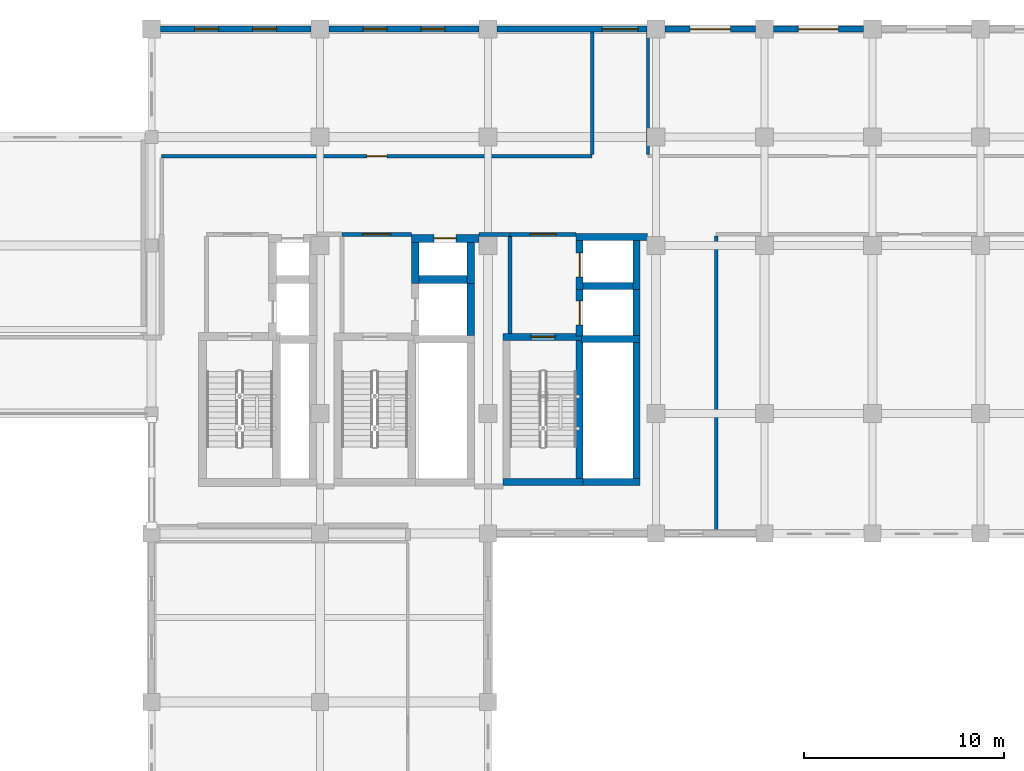
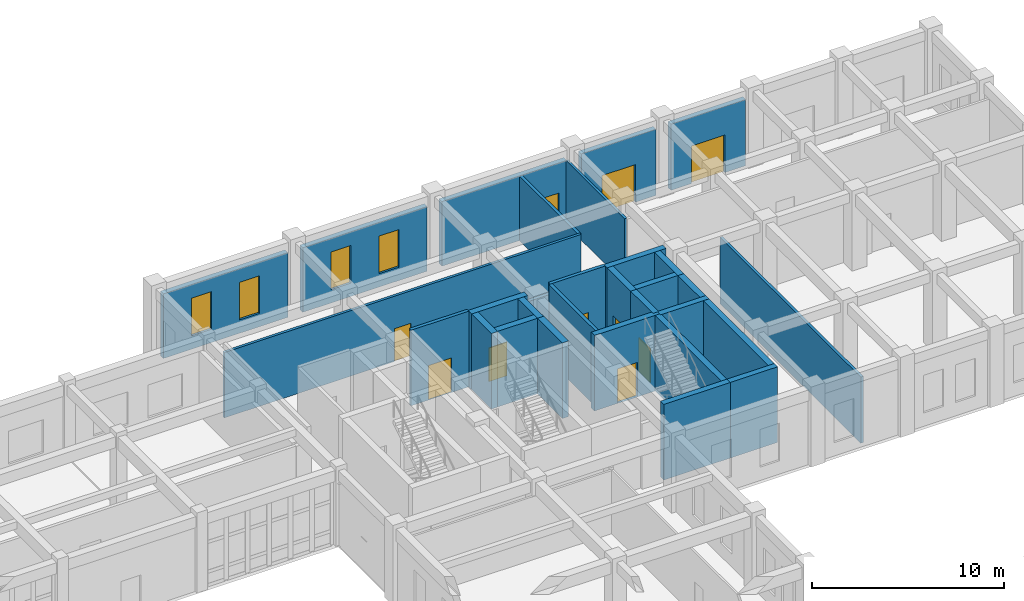
# One storey, part 69 of 80: 30 walls, 10 doors, 4 windows, 14 openings.
"""IFC4 building model written with IfcOpenShell, lengths in metres."""

from ifc_helpers import new_model, si_unit, direction, frame, frame_2d, origin, place, context, subcontext, project, spatial, rectangle, extrude, material, layer, layer_set, type_object, element, fill, save


model = new_model("IFC4")

# Units and contexts
model_context = context("Model", 3, precision=1e-05, world=origin(), true_north=direction((0.0, 1.0)))
body_context = subcontext(model_context, "Body", "Model", "MODEL_VIEW")
ifc_project = project(units=[si_unit("LENGTHUNIT", "METRE"), si_unit("AREAUNIT", "SQUARE_METRE"), si_unit("VOLUMEUNIT", "CUBIC_METRE"), si_unit("PLANEANGLEUNIT", "RADIAN"), si_unit("MASSUNIT", "GRAM", prefix="KILO")], contexts=[model_context])

# Site, building, storey
site_placement = place(None, origin())
site = spatial("IfcSite", under=ifc_project, at=site_placement, CompositionType="ELEMENT")
building_placement = place(site_placement, origin())
building = spatial("IfcBuilding", under=site, at=building_placement, Name="Krzemoval Escarpment Law Courts", CompositionType="ELEMENT")
storey_placement = place(building_placement, origin())
storey = spatial("IfcBuildingStorey", under=building, at=storey_placement, Name="L00", CompositionType="ELEMENT", Elevation=0.0)

# Wall, openings, windows
ifc_material_1 = material(Name="Precast concrete C40/50", Category="concrete")
ifc_layer_1 = layer(ifc_material_1, 0.300048828125)
ifc_layer_set_1 = layer_set([ifc_layer_1], Name="Precast concrete C40/50")
wall_type_1 = type_object("IfcWallType", Name="WL-EXT-300", PredefinedType="SOLIDWALL", material=ifc_layer_set_1)
wall_1_placement = place(storey_placement, frame((126.449951171875, 118.800048828125, 0.0), z_axis=(0.0, 0.0, 1.0), x_axis=(1.0, 0.0, 0.0)))
wall_1 = element("IfcWall", 1, at=wall_1_placement, inside=storey, type_object=wall_type_1, Name="Exterior Wall EW-L00-0090", PredefinedType="SOLIDWALL", context=body_context, shape_type="SweptSolid", body=[
    extrude(rectangle(XDim=7.5, YDim=0.300048828125, at=frame_2d((3.75, 0.0))), origin(), (0.0, 0.0, 1.0), 4.1201171875),
])
opening_1_placement = place(wall_1_placement, frame((1.699951171875, 0.0, 0.85009765625)))
opening_1 = element("IfcOpeningElement", 2, at=opening_1_placement, cuts=wall_1, Name="Opening WN-L00-0031", PredefinedType="OPENING", context=body_context, shape_type="SweptSolid", body=[
    extrude(rectangle(XDim=1.199951171875, YDim=2.39990234375, at=frame_2d((0.60009765625, 1.199951171875))), frame((0.0, 0.16502, 0.0), z_axis=(0.0, -1.0, 0.0), x_axis=(1.0, 0.0, 0.0)), (0.0, 0.0, 1.0), 0.33005),
])
opening_2_placement = place(wall_1_placement, frame((4.60009765625, 0.0, 0.85009765625)))
opening_2 = element("IfcOpeningElement", 3, at=opening_2_placement, cuts=wall_1, Name="Opening WN-L00-0032", PredefinedType="OPENING", context=body_context, shape_type="SweptSolid", body=[
    extrude(rectangle(XDim=1.199951171875, YDim=2.39990234375, at=frame_2d((0.60009765625, 1.199951171875))), frame((0.0, 0.16502, 0.0), z_axis=(0.0, -1.0, 0.0), x_axis=(1.0, 0.0, 0.0)), (0.0, 0.0, 1.0), 0.33005),
])
ifc_material_2 = material(Name="Thermally Broken Aluminium Frame with Triple Low-E Acoustic Glass", Category="aluminium")
window_type = type_object("IfcWindowType", Name="WN-1200x2400", PartitioningType="SINGLE_PANEL", PredefinedType="WINDOW", material=ifc_material_2)
window_1_placement = place(opening_1_placement, origin())
window_1 = element("IfcWindow", 4, at=window_1_placement, inside=storey, type_object=window_type, Name="Facade Window WN-L00-0031", OverallHeight=2.39990234375, OverallWidth=1.199951171875, PartitioningType="SINGLE_PANEL", PredefinedType="WINDOW", context=body_context, shape_type="SweptSolid", body=[
    extrude(rectangle(XDim=1.199951171875, YDim=2.39990234375, at=frame_2d((0.60009765625, 1.199951171875))), frame((0.0, 0.030029296875, 0.0), z_axis=(0.0, -1.0, 0.0), x_axis=(1.0, 0.0, 0.0)), (0.0, 0.0, 1.0), 0.06005859375),
])
fill(opening_1, window_1)
window_2_placement = place(opening_2_placement, origin())
window_2 = element("IfcWindow", 5, at=window_2_placement, inside=storey, type_object=window_type, Name="Facade Window WN-L00-0032", OverallHeight=2.39990234375, OverallWidth=1.199951171875, PartitioningType="SINGLE_PANEL", PredefinedType="WINDOW", context=body_context, shape_type="SweptSolid", body=[
    extrude(rectangle(XDim=1.199951171875, YDim=2.39990234375, at=frame_2d((0.60009765625, 1.199951171875))), frame((0.0, 0.030029296875, 0.0), z_axis=(0.0, -1.0, 0.0), x_axis=(1.0, 0.0, 0.0)), (0.0, 0.0, 1.0), 0.06005859375),
])
fill(opening_2, window_2)

wall_2_placement = place(storey_placement, frame((134.85009765625, 118.800048828125, 0.0), z_axis=(0.0, 0.0, 1.0), x_axis=(1.0, 0.0, 0.0)))
wall_2 = element("IfcWall", 6, at=wall_2_placement, inside=storey, type_object=wall_type_1, Name="Exterior Wall EW-L00-0091", PredefinedType="SOLIDWALL", context=body_context, shape_type="SweptSolid", body=[
    extrude(rectangle(XDim=7.5, YDim=0.300048828125, at=frame_2d((3.75, 0.0))), origin(), (0.0, 0.0, 1.0), 4.1201171875),
])
opening_3_placement = place(wall_2_placement, frame((1.699951171875, 0.0, 0.85009765625)))
opening_3 = element("IfcOpeningElement", 7, at=opening_3_placement, cuts=wall_2, Name="Opening WN-L00-0033", PredefinedType="OPENING", context=body_context, shape_type="SweptSolid", body=[
    extrude(rectangle(XDim=1.199951171875, YDim=2.39990234375, at=frame_2d((0.60009765625, 1.199951171875))), frame((0.0, 0.16502, 0.0), z_axis=(0.0, -1.0, 0.0), x_axis=(1.0, 0.0, 0.0)), (0.0, 0.0, 1.0), 0.33005),
])
opening_4_placement = place(wall_2_placement, frame((4.60009765625, 0.0, 0.85009765625)))
opening_4 = element("IfcOpeningElement", 8, at=opening_4_placement, cuts=wall_2, Name="Opening WN-L00-0034", PredefinedType="OPENING", context=body_context, shape_type="SweptSolid", body=[
    extrude(rectangle(XDim=1.199951171875, YDim=2.39990234375, at=frame_2d((0.60009765625, 1.199951171875))), frame((0.0, 0.16502, 0.0), z_axis=(0.0, -1.0, 0.0), x_axis=(1.0, 0.0, 0.0)), (0.0, 0.0, 1.0), 0.33005),
])
window_3_placement = place(opening_3_placement, origin())
window_3 = element("IfcWindow", 9, at=window_3_placement, inside=storey, type_object=window_type, Name="Facade Window WN-L00-0033", OverallHeight=2.39990234375, OverallWidth=1.199951171875, PartitioningType="SINGLE_PANEL", PredefinedType="WINDOW", context=body_context, shape_type="SweptSolid", body=[
    extrude(rectangle(XDim=1.199951171875, YDim=2.39990234375, at=frame_2d((0.60009765625, 1.199951171875))), frame((0.0, 0.030029296875, 0.0), z_axis=(0.0, -1.0, 0.0), x_axis=(1.0, 0.0, 0.0)), (0.0, 0.0, 1.0), 0.06005859375),
])
fill(opening_3, window_3)
window_4_placement = place(opening_4_placement, origin())
window_4 = element("IfcWindow", 10, at=window_4_placement, inside=storey, type_object=window_type, Name="Facade Window WN-L00-0034", OverallHeight=2.39990234375, OverallWidth=1.199951171875, PartitioningType="SINGLE_PANEL", PredefinedType="WINDOW", context=body_context, shape_type="SweptSolid", body=[
    extrude(rectangle(XDim=1.199951171875, YDim=2.39990234375, at=frame_2d((0.60009765625, 1.199951171875))), frame((0.0, 0.030029296875, 0.0), z_axis=(0.0, -1.0, 0.0), x_axis=(1.0, 0.0, 0.0)), (0.0, 0.0, 1.0), 0.06005859375),
])
fill(opening_4, window_4)

# Wall, opening, door
wall_3_placement = place(storey_placement, frame((143.25, 118.800048828125, 0.0), z_axis=(0.0, 0.0, 1.0), x_axis=(1.0, 0.0, 0.0)))
wall_3 = element("IfcWall", 11, at=wall_3_placement, inside=storey, type_object=wall_type_1, Name="Exterior Wall EW-L00-0092", PredefinedType="SOLIDWALL", context=body_context, shape_type="SweptSolid", body=[
    extrude(rectangle(XDim=7.5, YDim=0.300048828125, at=frame_2d((3.75, 0.0))), origin(), (0.0, 0.0, 1.0), 4.1201171875),
])
opening_5_placement = place(wall_3_placement, frame((5.25, 0.0, 0.0)))
opening_5 = element("IfcOpeningElement", 12, at=opening_5_placement, cuts=wall_3, Name="Opening E01A", PredefinedType="OPENING", context=body_context, shape_type="SweptSolid", body=[
    extrude(rectangle(XDim=1.800048828125, YDim=2.199951171875, at=frame_2d((0.89990234375, 1.10009765625))), frame((0.0, 0.16502, 0.0), z_axis=(0.0, -1.0, 0.0), x_axis=(1.0, 0.0, 0.0)), (0.0, 0.0, 1.0), 0.33005),
])
ifc_material_3 = material(Name="Galvanised Steel S355", Category="steel")
door_type_1 = type_object("IfcDoorType", Name="DR-EXIT-1800x2200", OperationType="SINGLE_SWING_LEFT", PredefinedType="DOOR", material=ifc_material_3)
door_1_placement = place(opening_5_placement, origin())
door_1 = element("IfcDoor", 13, at=door_1_placement, inside=storey, type_object=door_type_1, Name="Final Exit Discharge Door E01A (Stair ST1 North Street)", OperationType="DOUBLE_DOOR_SINGLE_SWING", OverallHeight=2.199951171875, OverallWidth=1.800048828125, PredefinedType="DOOR", context=body_context, shape_type="SweptSolid", body=[
    extrude(rectangle(XDim=1.800048828125, YDim=2.199951171875, at=frame_2d((0.89990234375, 1.10009765625))), frame((0.0, 0.02490234375, 0.0), z_axis=(0.0, -1.0, 0.0), x_axis=(1.0, 0.0, 0.0)), (0.0, 0.0, 1.0), 0.050048828125),
])
fill(opening_5, door_1)

wall_4_placement = place(storey_placement, frame((151.64990234375, 118.800048828125, 0.0), z_axis=(0.0, 0.0, 1.0), x_axis=(1.0, 0.0, 0.0)))
wall_4 = element("IfcWall", 14, at=wall_4_placement, inside=storey, type_object=wall_type_1, Name="Exterior Wall EW-L00-0093", PredefinedType="SOLIDWALL", context=body_context, shape_type="SweptSolid", body=[
    extrude(rectangle(XDim=4.5, YDim=0.300048828125, at=frame_2d((2.25, 0.0))), origin(), (0.0, 0.0, 1.0), 4.219970703125),
])
opening_6_placement = place(wall_4_placement, frame((1.25, 0.0, 0.0)))
opening_6 = element("IfcOpeningElement", 15, at=opening_6_placement, cuts=wall_4, Name="Opening ED-L00-09", PredefinedType="OPENING", context=body_context, shape_type="SweptSolid", body=[
    extrude(rectangle(XDim=2.0, YDim=2.39990234375, at=frame_2d((1.0, 1.199951171875))), frame((0.0, 0.16502, 0.0), z_axis=(0.0, -1.0, 0.0), x_axis=(1.0, 0.0, 0.0)), (0.0, 0.0, 1.0), 0.33005),
])
ifc_material_4 = material(Name="Thermally Broken Aluminium and Laminated Safety Glass", Category="aluminium")
door_type_2 = type_object("IfcDoorType", Name="DR-ENT-2000x2400", OperationType="SINGLE_SWING_LEFT", PredefinedType="DOOR", material=ifc_material_4)
door_2_placement = place(opening_6_placement, origin())
door_2 = element("IfcDoor", 16, at=door_2_placement, inside=storey, type_object=door_type_2, Name="Ground Entrance Door ED-L00-09", OperationType="DOUBLE_DOOR_SINGLE_SWING", OverallHeight=2.39990234375, OverallWidth=2.0, PredefinedType="DOOR", context=body_context, shape_type="SweptSolid", body=[
    extrude(rectangle(XDim=2.0, YDim=2.39990234375, at=frame_2d((1.0, 1.199951171875))), frame((0.0, 0.02490234375, 0.0), z_axis=(0.0, -1.0, 0.0), x_axis=(1.0, 0.0, 0.0)), (0.0, 0.0, 1.0), 0.050048828125),
])
fill(opening_6, door_2)

wall_5_placement = place(storey_placement, frame((157.050048828125, 118.800048828125, 0.0), z_axis=(0.0, 0.0, 1.0), x_axis=(1.0, 0.0, 0.0)))
wall_5 = element("IfcWall", 17, at=wall_5_placement, inside=storey, type_object=wall_type_1, Name="Exterior Wall EW-L00-0094", PredefinedType="SOLIDWALL", context=body_context, shape_type="SweptSolid", body=[
    extrude(rectangle(XDim=4.5, YDim=0.300048828125, at=frame_2d((2.25, 0.0))), origin(), (0.0, 0.0, 1.0), 4.219970703125),
])
opening_7_placement = place(wall_5_placement, frame((1.25, 0.0, 0.0)))
opening_7 = element("IfcOpeningElement", 18, at=opening_7_placement, cuts=wall_5, Name="Opening ED-L00-10", PredefinedType="OPENING", context=body_context, shape_type="SweptSolid", body=[
    extrude(rectangle(XDim=2.0, YDim=2.39990234375, at=frame_2d((1.0, 1.199951171875))), frame((0.0, 0.16502, 0.0), z_axis=(0.0, -1.0, 0.0), x_axis=(1.0, 0.0, 0.0)), (0.0, 0.0, 1.0), 0.33005),
])
door_3_placement = place(opening_7_placement, origin())
door_3 = element("IfcDoor", 19, at=door_3_placement, inside=storey, type_object=door_type_2, Name="Ground Entrance Door ED-L00-10", OperationType="DOUBLE_DOOR_SINGLE_SWING", OverallHeight=2.39990234375, OverallWidth=2.0, PredefinedType="DOOR", context=body_context, shape_type="SweptSolid", body=[
    extrude(rectangle(XDim=2.0, YDim=2.39990234375, at=frame_2d((1.0, 1.199951171875))), frame((0.0, 0.02490234375, 0.0), z_axis=(0.0, -1.0, 0.0), x_axis=(1.0, 0.0, 0.0)), (0.0, 0.0, 1.0), 0.050048828125),
])
fill(opening_7, door_3)

# Wall
ifc_material_5 = material(Name="Office Acoustic Partition Wall", Category="gypsum")
ifc_layer_2 = layer(ifc_material_5, 0.14990234375)
ifc_layer_set_2 = layer_set([ifc_layer_2], Name="Office Acoustic Partition Wall")
wall_type_2 = type_object("IfcWallType", Name="WL-PRT-150", PredefinedType="PARTITIONING", material=ifc_layer_set_2)
wall_6_placement = place(storey_placement, frame((150.800048828125, 112.527099609375, 0.0), z_axis=(0.0, 0.0, 1.0), x_axis=(0.0, 1.0, 0.0)))
element("IfcWall", 20, at=wall_6_placement, inside=storey, type_object=wall_type_2, Name="Interior Partition PW-L00-0217", PredefinedType="PARTITIONING", context=body_context, shape_type="SweptSolid", body=[
    extrude(rectangle(XDim=6.1298828125, YDim=0.14990234375, at=frame_2d((3.06494140625, 0.0))), origin(), (0.0, 0.0, 1.0), 4.1201171875),
])

# Wall, opening, door
ifc_material_6 = material(Name="Jury Suite Partition Assembly", Category="gypsum")
ifc_layer_3 = layer(ifc_material_6, 0.159912109375)
ifc_layer_set_3 = layer_set([ifc_layer_3], Name="Jury Suite Partition Assembly")
wall_type_3 = type_object("IfcWallType", Name="WL-PRT-160", PredefinedType="PARTITIONING", material=ifc_layer_set_3)
wall_7_placement = place(storey_placement, frame((126.5, 112.449951171875, 0.0), z_axis=(0.0, 0.0, 1.0), x_axis=(1.0, 0.0, 0.0)))
wall_7 = element("IfcWall", 21, at=wall_7_placement, inside=storey, type_object=wall_type_3, Name="Interior Partition PW-L00-0152", PredefinedType="PARTITIONING", context=body_context, shape_type="SweptSolid", body=[
    extrude(rectangle(XDim=21.5, YDim=0.159912109375, at=frame_2d((10.75, 0.0))), origin(), (0.0, 0.0, 1.0), 4.169921875),
])
opening_8_placement = place(wall_7_placement, frame((10.25, 0.0, 0.0)))
opening_8 = element("IfcOpeningElement", 22, at=opening_8_placement, cuts=wall_7, Name="Opening D-L00-0077", PredefinedType="OPENING", context=body_context, shape_type="SweptSolid", body=[
    extrude(rectangle(XDim=1.0, YDim=2.10009765625, at=frame_2d((0.5, 1.050048828125))), frame((0.0, 0.09496, 0.0), z_axis=(0.0, -1.0, 0.0), x_axis=(1.0, 0.0, 0.0)), (0.0, 0.0, 1.0), 0.18991),
])
ifc_material_7 = material(Name="Engineered Solid-Core Oak Acoustic Timber", Category="wood")
door_type_3 = type_object("IfcDoorType", Name="DR-INT-1000x2100", OperationType="SINGLE_SWING_LEFT", PredefinedType="DOOR", material=ifc_material_7)
door_4_placement = place(opening_8_placement, origin())
door_4 = element("IfcDoor", 23, at=door_4_placement, inside=storey, type_object=door_type_3, Name="Room Door D-L00-0077", OperationType="SINGLE_SWING_LEFT", OverallHeight=2.10009765625, OverallWidth=1.0, PredefinedType="DOOR", context=body_context, shape_type="SweptSolid", body=[
    extrude(rectangle(XDim=1.0, YDim=2.10009765625, at=frame_2d((0.5, 1.050048828125))), frame((0.0, 0.02490234375, 0.0), z_axis=(0.0, -1.0, 0.0), x_axis=(1.0, 0.0, 0.0)), (0.0, 0.0, 1.0), 0.050048828125),
])
fill(opening_8, door_4)

# Walls
wall_8_placement = place(storey_placement, frame((154.199951171875, 93.751953125, 0.0), z_axis=(0.0, 0.0, 1.0), x_axis=(0.0, 1.0, 0.0)))
element("IfcWall", 24, at=wall_8_placement, inside=storey, type_object=wall_type_3, Name="Interior Partition PW-L00-0218", PredefinedType="PARTITIONING", context=body_context, shape_type="SweptSolid", body=[
    extrude(rectangle(XDim=14.7060546875, YDim=0.159912109375, at=frame_2d((7.35302734375, 0.0))), origin(), (0.0, 0.0, 1.0), 4.219970703125),
])
ifc_material_8 = material(Name="Judicial Chambers Acoustic Partition", Category="gypsum")
ifc_layer_4 = layer(ifc_material_8, 0.179931640625)
ifc_layer_set_4 = layer_set([ifc_layer_4], Name="Judicial Chambers Acoustic Partition")
wall_type_4 = type_object("IfcWallType", Name="WL-PRT-180", PredefinedType="PARTITIONING", material=ifc_layer_set_4)
wall_9_placement = place(storey_placement, frame((148.0, 112.531982421875, 0.0), z_axis=(0.0, 0.0, 1.0), x_axis=(0.0, 1.0, 0.0)))
element("IfcWall", 25, at=wall_9_placement, inside=storey, type_object=wall_type_4, Name="Interior Partition PW-L00-0216", PredefinedType="PARTITIONING", context=body_context, shape_type="SweptSolid", body=[
    extrude(rectangle(XDim=6.115966796875, YDim=0.179931640625, at=frame_2d((3.05810546875, 0.0))), origin(), (0.0, 0.0, 1.0), 4.1201171875),
])

# Wall, opening, door
ifc_material_9 = material(Name="Fire-Rated Corridor Partition Wall", Category="gypsum")
ifc_layer_5 = layer(ifc_material_9, 0.199951171875)
ifc_layer_set_5 = layer_set([ifc_layer_5], Name="Fire-Rated Corridor Partition Wall")
wall_type_5 = type_object("IfcWallType", Name="WL-PRT-200", PredefinedType="PARTITIONING", material=ifc_layer_set_5)
wall_10_placement = place(storey_placement, frame((135.5, 108.550048828125, 0.0), z_axis=(0.0, 0.0, 1.0), x_axis=(1.0, 0.0, 0.0)))
wall_10 = element("IfcWall", 26, at=wall_10_placement, inside=storey, type_object=wall_type_5, Name="Interior Partition PW-L00-0147", PredefinedType="PARTITIONING", context=body_context, shape_type="SweptSolid", body=[
    extrude(rectangle(XDim=3.469970703125, YDim=0.199951171875, at=frame_2d((1.73486328125, 0.0))), origin(), (0.0, 0.0, 1.0), 4.820068359375),
])
opening_9_placement = place(wall_10_placement, frame((1.034912109375, 0.0, 0.0)))
opening_9 = element("IfcOpeningElement", 27, at=opening_9_placement, cuts=wall_10, Name="Opening D-L00-0036", PredefinedType="OPENING", context=body_context, shape_type="SweptSolid", body=[
    extrude(rectangle(XDim=1.39990234375, YDim=2.199951171875, at=frame_2d((0.699951171875, 1.10009765625))), frame((0.0, 0.11498, 0.0), z_axis=(0.0, -1.0, 0.0), x_axis=(1.0, 0.0, 0.0)), (0.0, 0.0, 1.0), 0.22995),
])
ifc_material_10 = material(Name="Galvanised Steel S355", Category="steel")
door_type_4 = type_object("IfcDoorType", Name="DR-FFL-1400x2200", OperationType="SINGLE_SWING_LEFT", PredefinedType="DOOR", material=ifc_material_10)
door_5_placement = place(opening_9_placement, origin())
door_5 = element("IfcDoor", 28, at=door_5_placement, inside=storey, type_object=door_type_4, Name="Room Door D-L00-0036", OperationType="SINGLE_SWING_LEFT", OverallHeight=2.199951171875, OverallWidth=1.39990234375, PredefinedType="DOOR", context=body_context, shape_type="SweptSolid", body=[
    extrude(rectangle(XDim=1.39990234375, YDim=2.199951171875, at=frame_2d((0.699951171875, 1.10009765625))), frame((0.0, 0.02490234375, 0.0), z_axis=(0.0, -1.0, 0.0), x_axis=(1.0, 0.0, 0.0)), (0.0, 0.0, 1.0), 0.050048828125),
])
fill(opening_9, door_5)

wall_11_placement = place(storey_placement, frame((143.89990234375, 108.550048828125, 0.0), z_axis=(0.0, 0.0, 1.0), x_axis=(1.0, 0.0, 0.0)))
wall_11 = element("IfcWall", 29, at=wall_11_placement, inside=storey, type_object=wall_type_5, Name="Interior Partition PW-L00-0148", PredefinedType="PARTITIONING", context=body_context, shape_type="SweptSolid", body=[
    extrude(rectangle(XDim=3.300048828125, YDim=0.199951171875, at=frame_2d((1.64990234375, 0.0))), origin(), (0.0, 0.0, 1.0), 4.820068359375),
])
opening_10_placement = place(wall_11_placement, frame((1.0, 0.0, 0.0)))
opening_10 = element("IfcOpeningElement", 30, at=opening_10_placement, cuts=wall_11, Name="Opening D-L00-0037", PredefinedType="OPENING", context=body_context, shape_type="SweptSolid", body=[
    extrude(rectangle(XDim=1.300048828125, YDim=2.199951171875, at=frame_2d((0.64990234375, 1.10009765625))), frame((0.0, 0.11498, 0.0), z_axis=(0.0, -1.0, 0.0), x_axis=(1.0, 0.0, 0.0)), (0.0, 0.0, 1.0), 0.22995),
])
ifc_material_11 = material(Name="Galvanised Steel S355", Category="steel")
door_type_5 = type_object("IfcDoorType", Name="DR-STR-1300x2200", OperationType="SINGLE_SWING_LEFT", PredefinedType="DOOR", material=ifc_material_11)
door_6_placement = place(opening_10_placement, origin())
door_6 = element("IfcDoor", 31, at=door_6_placement, inside=storey, type_object=door_type_5, Name="Room Door D-L00-0037", OperationType="SINGLE_SWING_RIGHT", OverallHeight=2.199951171875, OverallWidth=1.300048828125, PredefinedType="DOOR", context=body_context, shape_type="SweptSolid", body=[
    extrude(rectangle(XDim=1.300048828125, YDim=2.199951171875, at=frame_2d((0.64990234375, 1.10009765625))), frame((0.0, 0.02490234375, 0.0), z_axis=(0.0, -1.0, 0.0), x_axis=(1.0, 0.0, 0.0)), (0.0, 0.0, 1.0), 0.050048828125),
])
fill(opening_10, door_6)

# Walls
wall_12_placement = place(storey_placement, frame((142.35498046875, 108.550048828125, 0.0), z_axis=(0.0, 0.0, 1.0), x_axis=(1.0, 0.0, 0.0)))
element("IfcWall", 32, at=wall_12_placement, inside=storey, type_object=wall_type_5, Name="Interior Partition PW-L00-0150", PredefinedType="PARTITIONING", context=body_context, shape_type="SweptSolid", body=[
    extrude(rectangle(XDim=1.544921875, YDim=0.199951171875, at=frame_2d((0.7724609375, 0.0))), origin(), (0.0, 0.0, 1.0), 4.169921875),
])
wall_13_placement = place(storey_placement, frame((143.89990234375, 103.60205078125, 0.0), z_axis=(0.0, 0.0, 1.0), x_axis=(0.0, 1.0, 0.0)))
element("IfcWall", 33, at=wall_13_placement, inside=storey, type_object=wall_type_5, Name="Interior Partition PW-L00-0215", PredefinedType="PARTITIONING", context=body_context, shape_type="SweptSolid", body=[
    extrude(rectangle(XDim=4.845947265625, YDim=0.199951171875, at=frame_2d((2.4228515625, 0.0))), origin(), (0.0, 0.0, 1.0), 4.820068359375),
])

# Wall, opening, door
ifc_material_12 = material(Name="Concrete C40/50", Category="concrete")
ifc_layer_6 = layer(ifc_material_12, 0.35009765625)
ifc_layer_set_6 = layer_set([ifc_layer_6], Name="Concrete C40/50")
wall_type_6 = type_object("IfcWallType", Name="WL-SHW-350", PredefinedType="SHEAR", material=ifc_layer_set_6)
wall_14_placement = place(storey_placement, frame((143.550048828125, 103.425048828125, 0.0), z_axis=(0.0, 0.0, 1.0), x_axis=(1.0, 0.0, 0.0)))
wall_14 = element("IfcWall", 34, at=wall_14_placement, inside=storey, type_object=wall_type_6, Name="Core Stair Shear Wall SW-L00-0314", PredefinedType="SHEAR", context=body_context, shape_type="SweptSolid", body=[
    extrude(rectangle(XDim=4.0, YDim=0.35009765625, at=frame_2d((2.0, 0.0))), origin(), (0.0, 0.0, 1.0), 4.820068359375),
])
opening_11_placement = place(wall_14_placement, frame((1.39990234375, 0.0, 0.0)))
opening_11 = element("IfcOpeningElement", 35, at=opening_11_placement, cuts=wall_14, Name="Opening SD-ST3-L00", PredefinedType="OPENING", context=body_context, shape_type="SweptSolid", body=[
    extrude(rectangle(XDim=1.199951171875, YDim=2.199951171875, at=frame_2d((0.60009765625, 1.10009765625))), frame((0.0, 0.19005, 0.0), z_axis=(0.0, -1.0, 0.0), x_axis=(1.0, 0.0, 0.0)), (0.0, 0.0, 1.0), 0.3801),
])
ifc_material_13 = material(Name="Galvanised Steel S355", Category="steel")
door_type_6 = type_object("IfcDoorType", Name="DR-STR-1200x2200", OperationType="SINGLE_SWING_LEFT", PredefinedType="DOOR", material=ifc_material_13)
door_7_placement = place(opening_11_placement, origin())
door_7 = element("IfcDoor", 36, at=door_7_placement, inside=storey, type_object=door_type_6, Name="Stair Exit Door SD-ST3-L00", OperationType="SINGLE_SWING_LEFT", OverallHeight=2.199951171875, OverallWidth=1.199951171875, PredefinedType="DOOR", context=body_context, shape_type="SweptSolid", body=[
    extrude(rectangle(XDim=1.199951171875, YDim=2.199951171875, at=frame_2d((0.60009765625, 1.10009765625))), frame((0.0, 0.02490234375, 0.0), z_axis=(0.0, -1.0, 0.0), x_axis=(1.0, 0.0, 0.0)), (0.0, 0.0, 1.0), 0.050048828125),
])
fill(opening_11, door_7)

# Walls
wall_15_placement = place(storey_placement, frame((143.550048828125, 96.175048828125, 0.0), z_axis=(0.0, 0.0, 1.0), x_axis=(1.0, 0.0, 0.0)))
element("IfcWall", 37, at=wall_15_placement, inside=storey, type_object=wall_type_6, Name="Core Stair Shear Wall SW-L00-0315", PredefinedType="SHEAR", context=body_context, shape_type="SweptSolid", body=[
    extrude(rectangle(XDim=4.0, YDim=0.35009765625, at=frame_2d((2.0, 0.0))), origin(), (0.0, 0.0, 1.0), 4.820068359375),
])
wall_16_placement = place(storey_placement, frame((147.375, 96.35205078125, 0.0), z_axis=(0.0, 0.0, 1.0), x_axis=(0.0, 1.0, 0.0)))
element("IfcWall", 38, at=wall_16_placement, inside=storey, type_object=wall_type_6, Name="Core Stair Shear Wall SW-L00-0317", PredefinedType="SHEAR", context=body_context, shape_type="SweptSolid", body=[
    extrude(rectangle(XDim=6.89599609375, YDim=0.35009765625, at=frame_2d((3.447998046875, 0.0))), origin(), (0.0, 0.0, 1.0), 4.820068359375),
])
wall_17_placement = place(storey_placement, frame((147.468017578125, 103.324951171875, 0.0), z_axis=(0.0, 0.0, 1.0), x_axis=(1.0, 0.0, 0.0)))
element("IfcWall", 39, at=wall_17_placement, inside=storey, type_object=wall_type_6, Name="Lift Shaft Shear Wall SW-L00-0318", PredefinedType="SHEAR", context=body_context, shape_type="SweptSolid", body=[
    extrude(rectangle(XDim=2.931884765625, YDim=0.35009765625, at=frame_2d((1.4658203125, 0.0))), origin(), (0.0, 0.0, 1.0), 4.820068359375),
])
wall_18_placement = place(storey_placement, frame((147.199951171875, 105.97509765625, 0.0), z_axis=(0.0, 0.0, 1.0), x_axis=(1.0, 0.0, 0.0)))
element("IfcWall", 40, at=wall_18_placement, inside=storey, type_object=wall_type_6, Name="Lift Shaft Shear Wall SW-L00-0319", PredefinedType="SHEAR", context=body_context, shape_type="SweptSolid", body=[
    extrude(rectangle(XDim=3.199951171875, YDim=0.35009765625, at=frame_2d((1.60009765625, 0.0))), origin(), (0.0, 0.0, 1.0), 4.820068359375),
])

# Wall, opening, door
wall_19_placement = place(storey_placement, frame((147.375, 103.458984375, 0.0), z_axis=(0.0, 0.0, 1.0), x_axis=(0.0, 1.0, 0.0)))
wall_19 = element("IfcWall", 41, at=wall_19_placement, inside=storey, type_object=wall_type_6, Name="Lift Shaft Shear Wall SW-L00-0320", PredefinedType="SHEAR", context=body_context, shape_type="SweptSolid", body=[
    extrude(rectangle(XDim=2.339111328125, YDim=0.35009765625, at=frame_2d((1.16943359375, 0.0))), origin(), (0.0, 0.0, 1.0), 4.820068359375),
])
opening_12_placement = place(wall_19_placement, frame((0.569091796875, 0.0, 0.0)))
opening_12 = element("IfcOpeningElement", 42, at=opening_12_placement, cuts=wall_19, Name="Opening LD-PL1-L00", PredefinedType="OPENING", context=body_context, shape_type="SweptSolid", body=[
    extrude(rectangle(XDim=1.199951171875, YDim=2.14990234375, at=frame_2d((0.60009765625, 1.074951171875))), frame((0.0, 0.19005, 0.0), z_axis=(0.0, -1.0, 0.0), x_axis=(1.0, 0.0, 0.0)), (0.0, 0.0, 1.0), 0.3801),
])
ifc_material_14 = material(Name="Engineered Solid-Core Oak Acoustic Timber", Category="wood")
door_type_7 = type_object("IfcDoorType", Name="DR-LFT-1200x2150", OperationType="SINGLE_SWING_LEFT", PredefinedType="DOOR", material=ifc_material_14)
door_8_placement = place(opening_12_placement, origin())
door_8 = element("IfcDoor", 43, at=door_8_placement, inside=storey, type_object=door_type_7, Name="Lift Landing Door LD-PL1-L00", OperationType="DOUBLE_DOOR_SLIDING", OverallHeight=2.14990234375, OverallWidth=1.199951171875, PredefinedType="DOOR", context=body_context, shape_type="SweptSolid", body=[
    extrude(rectangle(XDim=1.199951171875, YDim=2.14990234375, at=frame_2d((0.60009765625, 1.074951171875))), frame((0.0, 0.02490234375, 0.0), z_axis=(0.0, -1.0, 0.0), x_axis=(1.0, 0.0, 0.0)), (0.0, 0.0, 1.0), 0.050048828125),
])
fill(opening_12, door_8)

# Walls
wall_20_placement = place(storey_placement, frame((150.22509765625, 103.501953125, 0.0), z_axis=(0.0, 0.0, 1.0), x_axis=(0.0, 1.0, 0.0)))
element("IfcWall", 44, at=wall_20_placement, inside=storey, type_object=wall_type_6, Name="Lift Shaft Shear Wall SW-L00-0321", PredefinedType="SHEAR", context=body_context, shape_type="SweptSolid", body=[
    extrude(rectangle(XDim=2.296142578125, YDim=0.35009765625, at=frame_2d((1.14794921875, 0.0))), origin(), (0.0, 0.0, 1.0), 4.820068359375),
])
wall_21_placement = place(storey_placement, frame((147.199951171875, 108.425048828125, 0.0), z_axis=(0.0, 0.0, 1.0), x_axis=(1.0, 0.0, 0.0)))
element("IfcWall", 45, at=wall_21_placement, inside=storey, type_object=wall_type_6, Name="Lift Shaft Shear Wall SW-L00-0322", PredefinedType="SHEAR", context=body_context, shape_type="SweptSolid", body=[
    extrude(rectangle(XDim=3.554931640625, YDim=0.35009765625, at=frame_2d((1.77734375, 0.0))), origin(), (0.0, 0.0, 1.0), 4.820068359375),
])

# Wall, opening, door
wall_22_placement = place(storey_placement, frame((147.375, 105.79296875, 0.0), z_axis=(0.0, 0.0, 1.0), x_axis=(0.0, 1.0, 0.0)))
wall_22 = element("IfcWall", 46, at=wall_22_placement, inside=storey, type_object=wall_type_6, Name="Lift Shaft Shear Wall SW-L00-0323", PredefinedType="SHEAR", context=body_context, shape_type="SweptSolid", body=[
    extrude(rectangle(XDim=2.455078125, YDim=0.35009765625, at=frame_2d((1.2275390625, 0.0))), origin(), (0.0, 0.0, 1.0), 4.820068359375),
])
opening_13_placement = place(wall_22_placement, frame((0.626953125, 0.0, 0.0)))
opening_13 = element("IfcOpeningElement", 47, at=opening_13_placement, cuts=wall_22, Name="Opening LD-PL2-L00", PredefinedType="OPENING", context=body_context, shape_type="SweptSolid", body=[
    extrude(rectangle(XDim=1.199951171875, YDim=2.14990234375, at=frame_2d((0.60009765625, 1.074951171875))), frame((0.0, 0.19005, 0.0), z_axis=(0.0, -1.0, 0.0), x_axis=(1.0, 0.0, 0.0)), (0.0, 0.0, 1.0), 0.3801),
])
door_9_placement = place(opening_13_placement, origin())
door_9 = element("IfcDoor", 48, at=door_9_placement, inside=storey, type_object=door_type_7, Name="Lift Landing Door LD-PL2-L00", OperationType="DOUBLE_DOOR_SLIDING", OverallHeight=2.14990234375, OverallWidth=1.199951171875, PredefinedType="DOOR", context=body_context, shape_type="SweptSolid", body=[
    extrude(rectangle(XDim=1.199951171875, YDim=2.14990234375, at=frame_2d((0.60009765625, 1.074951171875))), frame((0.0, 0.02490234375, 0.0), z_axis=(0.0, -1.0, 0.0), x_axis=(1.0, 0.0, 0.0)), (0.0, 0.0, 1.0), 0.050048828125),
])
fill(opening_13, door_9)

# Walls
wall_23_placement = place(storey_placement, frame((150.22509765625, 105.79296875, 0.0), z_axis=(0.0, 0.0, 1.0), x_axis=(0.0, 1.0, 0.0)))
element("IfcWall", 49, at=wall_23_placement, inside=storey, type_object=wall_type_6, Name="Lift Shaft Shear Wall SW-L00-0324", PredefinedType="SHEAR", context=body_context, shape_type="SweptSolid", body=[
    extrude(rectangle(XDim=2.455078125, YDim=0.35009765625, at=frame_2d((1.2275390625, 0.0))), origin(), (0.0, 0.0, 1.0), 4.820068359375),
])
wall_24_placement = place(storey_placement, frame((147.550048828125, 96.175048828125, 0.0), z_axis=(0.0, 0.0, 1.0), x_axis=(1.0, 0.0, 0.0)))
element("IfcWall", 50, at=wall_24_placement, inside=storey, type_object=wall_type_6, Name="Riser Shaft Wall SW-L00-0325", PredefinedType="SHEAR", context=body_context, shape_type="SweptSolid", body=[
    extrude(rectangle(XDim=2.849853515625, YDim=0.35009765625, at=frame_2d((1.4248046875, 0.0))), origin(), (0.0, 0.0, 1.0), 4.820068359375),
])
wall_25_placement = place(storey_placement, frame((150.22509765625, 96.35205078125, 0.0), z_axis=(0.0, 0.0, 1.0), x_axis=(0.0, 1.0, 0.0)))
element("IfcWall", 51, at=wall_25_placement, inside=storey, type_object=wall_type_6, Name="Riser Shaft Wall SW-L00-0326", PredefinedType="SHEAR", context=body_context, shape_type="SweptSolid", body=[
    extrude(rectangle(XDim=7.155029296875, YDim=0.35009765625, at=frame_2d((3.57763671875, 0.0))), origin(), (0.0, 0.0, 1.0), 4.820068359375),
])
ifc_material_15 = material(Name="Concrete C40/50", Category="concrete")
ifc_layer_7 = layer(ifc_material_15, 0.3798828125)
ifc_layer_set_7 = layer_set([ifc_layer_7], Name="Concrete C40/50")
wall_type_7 = type_object("IfcWallType", Name="WL-SHW-380", PredefinedType="SHEAR", material=ifc_layer_set_7)
wall_26_placement = place(storey_placement, frame((138.969970703125, 106.2900390625, 0.0), z_axis=(0.0, 0.0, 1.0), x_axis=(1.0, 0.0, 0.0)))
element("IfcWall", 52, at=wall_26_placement, inside=storey, type_object=wall_type_7, Name="Lift Shaft Shear Wall SW-L00-0169", PredefinedType="SHEAR", context=body_context, shape_type="SweptSolid", body=[
    extrude(rectangle(XDim=3.159912109375, YDim=0.3798828125, at=frame_2d((1.580078125, 0.0))), origin(), (0.0, 0.0, 1.0), 4.820068359375),
])
wall_27_placement = place(storey_placement, frame((141.93994140625, 103.501953125, 0.0), z_axis=(0.0, 0.0, 1.0), x_axis=(0.0, 1.0, 0.0)))
element("IfcWall", 53, at=wall_27_placement, inside=storey, type_object=wall_type_7, Name="Lift Shaft Shear Wall SW-L00-0171", PredefinedType="SHEAR", context=body_context, shape_type="SweptSolid", body=[
    extrude(rectangle(XDim=2.595947265625, YDim=0.3798828125, at=frame_2d((1.2978515625, 0.0))), origin(), (0.0, 0.0, 1.0), 4.820068359375),
])

# Wall, opening, door
wall_28_placement = place(storey_placement, frame((138.969970703125, 108.340087890625, 0.0), z_axis=(0.0, 0.0, 1.0), x_axis=(1.0, 0.0, 0.0)))
wall_28 = element("IfcWall", 54, at=wall_28_placement, inside=storey, type_object=wall_type_7, Name="Lift Shaft Shear Wall SW-L00-0172", PredefinedType="SHEAR", context=body_context, shape_type="SweptSolid", body=[
    extrude(rectangle(XDim=3.385009765625, YDim=0.3798828125, at=frame_2d((1.6923828125, 0.0))), origin(), (0.0, 0.0, 1.0), 4.820068359375),
])
opening_14_placement = place(wall_28_placement, frame((1.14208984375, 0.0, 0.0)))
opening_14 = element("IfcOpeningElement", 55, at=opening_14_placement, cuts=wall_28, Name="Opening LD-JL2-L00", PredefinedType="OPENING", context=body_context, shape_type="SweptSolid", body=[
    extrude(rectangle(XDim=1.10009765625, YDim=2.14990234375, at=frame_2d((0.550048828125, 1.074951171875))), frame((0.0, 0.20494, 0.0), z_axis=(0.0, -1.0, 0.0), x_axis=(1.0, 0.0, 0.0)), (0.0, 0.0, 1.0), 0.40988),
])
ifc_material_16 = material(Name="Stainless Steel Grade 304", Category="steel")
door_type_8 = type_object("IfcDoorType", Name="DR-LFT-1100x2150", OperationType="SINGLE_SWING_LEFT", PredefinedType="DOOR", material=ifc_material_16)
door_10_placement = place(opening_14_placement, origin())
door_10 = element("IfcDoor", 56, at=door_10_placement, inside=storey, type_object=door_type_8, Name="Lift Landing Door LD-JL2-L00", OperationType="DOUBLE_DOOR_SLIDING", OverallHeight=2.14990234375, OverallWidth=1.10009765625, PredefinedType="DOOR", context=body_context, shape_type="SweptSolid", body=[
    extrude(rectangle(XDim=1.10009765625, YDim=2.14990234375, at=frame_2d((0.550048828125, 1.074951171875))), frame((0.0, 0.02490234375, 0.0), z_axis=(0.0, -1.0, 0.0), x_axis=(1.0, 0.0, 0.0)), (0.0, 0.0, 1.0), 0.050048828125),
])
fill(opening_14, door_10)

# Walls
for number, where, z_axis, x_axis, name in (
    (57, (139.159912109375, 106.093017578125, 0.0), (0.0, 0.0, 1.0), (0.0, 1.0, 0.0), "Lift Shaft Shear Wall SW-L00-0173"),
    (58, (141.93994140625, 106.093017578125, 0.0), (0.0, 0.0, 1.0), (0.0, 1.0, 0.0), "Lift Shaft Shear Wall SW-L00-0174"),
):
    element("IfcWall", number, at=place(storey_placement, frame(where, z_axis=z_axis, x_axis=x_axis)), inside=storey, type_object=wall_type_7, Name=name, PredefinedType="SHEAR", context=body_context, shape_type="SweptSolid", body=[
        extrude(rectangle(XDim=2.054931640625, YDim=0.3798828125, at=frame_2d((1.02734375, 0.0))), origin(), (0.0, 0.0, 1.0), 4.820068359375),
    ])

save(model, "model.ifc")
